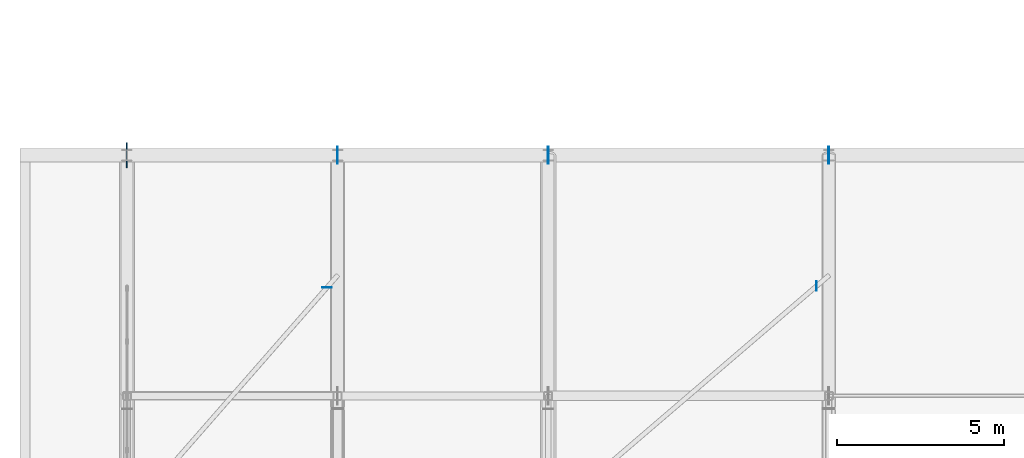
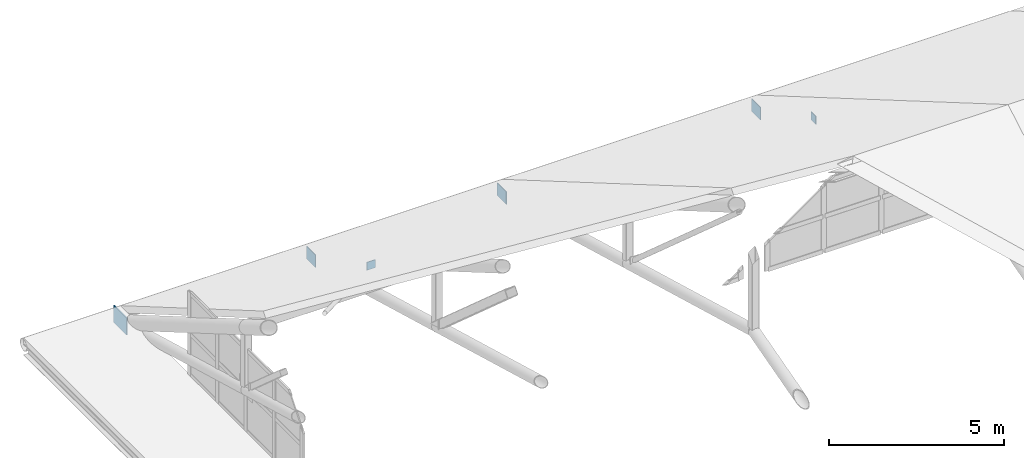
# One storey, part 45 of 54: 6 plates.
"""IFC4 building model written with IfcOpenShell, lengths in metres."""

from ifc_helpers import new_model, si_unit, direction, frame, origin, origin_2d, place, context, subcontext, project, spatial, rectangle, extrude, material, layer, layer_set, type_object, element, save


model = new_model("IFC4")

# Units and contexts
model_context = context("Model", 3, precision=1e-05, world=origin(), true_north=direction((0.0, 1.0)))
body_context = subcontext(model_context, "Body", "Model", "MODEL_VIEW")
ifc_project = project(units=[si_unit("LENGTHUNIT", "METRE"), si_unit("AREAUNIT", "SQUARE_METRE"), si_unit("VOLUMEUNIT", "CUBIC_METRE"), si_unit("PLANEANGLEUNIT", "RADIAN"), si_unit("MASSUNIT", "GRAM", prefix="KILO")], contexts=[model_context])

# Site, building, storey
site_placement = place(None, origin())
site = spatial("IfcSite", under=ifc_project, at=site_placement, CompositionType="ELEMENT")
building_placement = place(site_placement, origin())
building = spatial("IfcBuilding", under=site, at=building_placement, Name="Zulmaris Art Gallery", CompositionType="ELEMENT")
storey_placement = place(building_placement, frame((0.0, 0.0, 26.39990234375)))
storey = spatial("IfcBuildingStorey", under=building, at=storey_placement, Name="L05", CompositionType="ELEMENT", Elevation=26.39990234375)

# Plates
ifc_material = material(Name="Steel S355J2", Category="steel")
ifc_layer_1 = layer(ifc_material, 0.02001953125)
ifc_layer_set_1 = layer_set([ifc_layer_1], Name="Steel S355J2")
plate_type_1 = type_object("IfcPlateType", Name="PLT-CP01", PredefinedType="USERDEFINED", material=ifc_layer_set_1)
plate_1_placement = place(storey_placement, frame((17.386474609375, 46.441650390625, 1.5888671875), z_axis=(0.0, 0.0, 1.0), x_axis=(1.0, 0.0, 0.0)))
element("IfcPlate", 1, at=plate_1_placement, inside=storey, type_object=plate_type_1, Name="Hollow-section end cap plate 116", ObjectType="CAP PLATE", PredefinedType="USERDEFINED", context=body_context, shape_type="SweptSolid", body=[
    extrude(rectangle(XDim=0.280029296875, YDim=0.02001953125, at=origin_2d()), origin(), (0.0, 0.0, 1.0), 0.280029296875),
])
plate_2_placement = place(storey_placement, frame((32.031005859375, 46.483642578125, 1.564453125), z_axis=(0.0, 0.0, 1.0), x_axis=(1.0, 0.0, 0.0)))
element("IfcPlate", 2, at=plate_2_placement, inside=storey, type_object=plate_type_1, Name="Hollow-section end cap plate 120", ObjectType="CAP PLATE", PredefinedType="USERDEFINED", context=body_context, shape_type="SweptSolid", body=[
    extrude(rectangle(XDim=0.02001953125, YDim=0.280029296875, at=origin_2d()), origin(), (0.0, 0.0, 1.0), 0.280029296875),
])
ifc_layer_2 = layer(ifc_material, 0.02392578125)
ifc_layer_set_2 = layer_set([ifc_layer_2], Name="Steel S355J2")
plate_type_2 = type_object("IfcPlateType", Name="PLT-GP01", PredefinedType="USERDEFINED", material=ifc_layer_set_2)
for number, where, z_axis, x_axis, name in (
    (3, (17.699951171875, 50.39990234375, -0.719970703125), (0.0, 0.0, 1.0), (1.0, 0.0, 0.0), "Pitched truss TR-R02 node gusset 5"),
    (4, (24.0, 50.39990234375, -0.719970703125), (0.0, 0.0, 1.0), (1.0, 0.0, 0.0), "Pitched truss TR-R03 node gusset 5"),
    (5, (32.39990234375, 50.39990234375, -0.719970703125), (0.0, 0.0, 1.0), (1.0, 0.0, 0.0), "Pitched truss TR-R04 node gusset 5"),
):
    element("IfcPlate", number, at=place(storey_placement, frame(where, z_axis=z_axis, x_axis=x_axis)), inside=storey, type_object=plate_type_2, Name=name, ObjectType="GUSSET PLATE", PredefinedType="USERDEFINED", context=body_context, shape_type="SweptSolid", body=[
        extrude(rectangle(XDim=0.02392578125, YDim=0.52001953125, at=origin_2d()), origin(), (0.0, 0.0, 1.0), 0.43994140625),
    ])
ifc_layer_3 = layer(ifc_material, 0.031982421875)
ifc_layer_set_3 = layer_set([ifc_layer_3], Name="Steel S355J2")
plate_type_3 = type_object("IfcPlateType", Name="PLT-GP03", PredefinedType="USERDEFINED", material=ifc_layer_set_3)
plate_3_placement = place(storey_placement, frame((11.39990234375, 50.39990234375, -0.800048828125), z_axis=(0.0, 0.0, 1.0), x_axis=(1.0, 0.0, 0.0)))
element("IfcPlate", 6, at=plate_3_placement, inside=storey, type_object=plate_type_3, Name="Pitched truss TR-R01 node gusset 5", ObjectType="GUSSET PLATE", PredefinedType="USERDEFINED", context=body_context, shape_type="SweptSolid", body=[
    extrude(rectangle(XDim=0.031982421875, YDim=0.739990234375, at=origin_2d()), origin(), (0.0, 0.0, 1.0), 0.60009765625),
])

save(model, "model.ifc")
